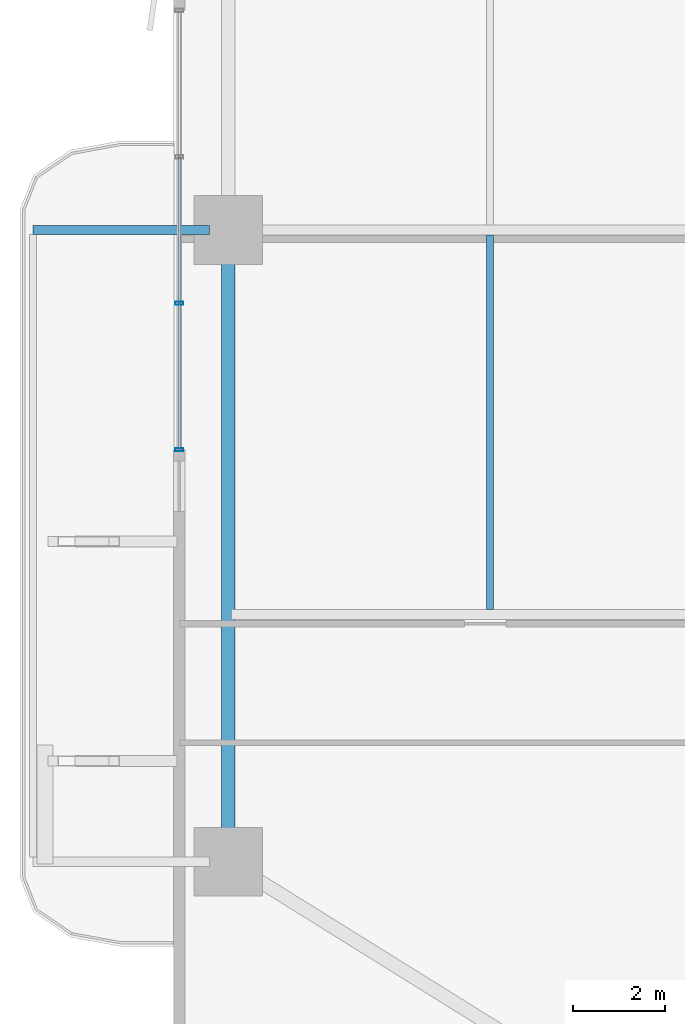
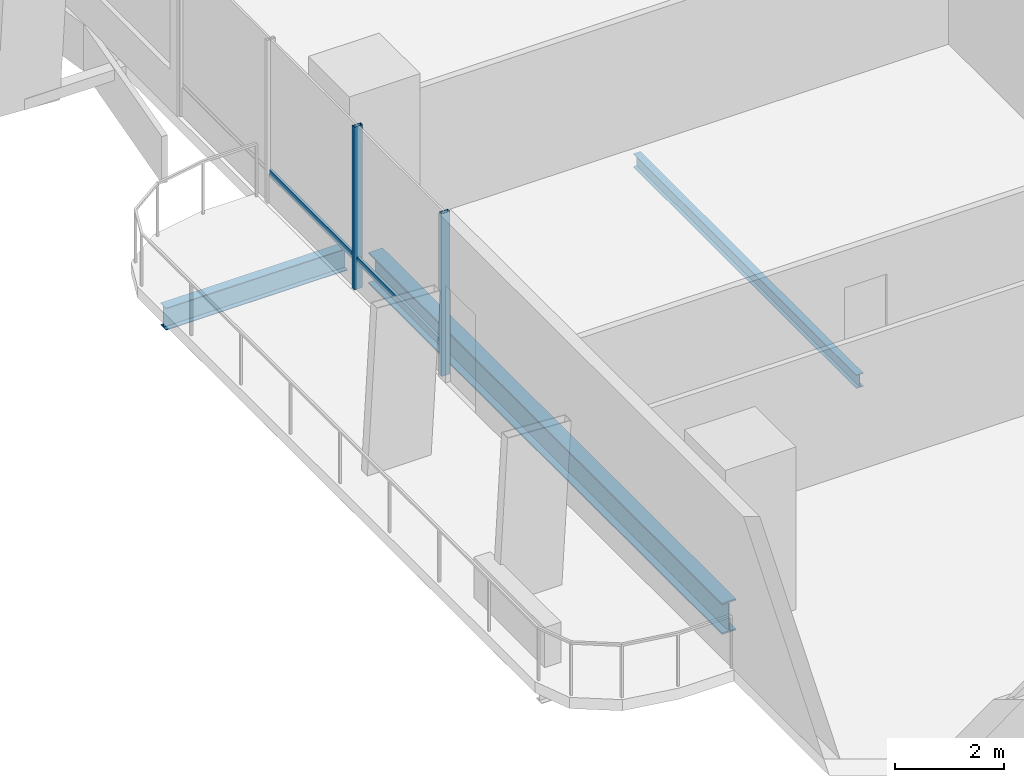
# One storey, part 4 of 23: 4 members, 3 beams, 1 element without a shape of its own.
"""IFC4 building model written with IfcOpenShell, lengths in metres."""

from ifc_helpers import new_model, si_unit, direction, frame, origin, origin_2d, place, context, subcontext, project, spatial, hollow_rectangle, i_section, extrude, material, layer, layer_set, material_profile, profile_set, type_object, element, aggregate, save


model = new_model("IFC4")

# Units and contexts
model_context = context("Model", 3, precision=1e-05, world=origin(), true_north=direction((0.0, 1.0)))
body_context = subcontext(model_context, "Body", "Model", "MODEL_VIEW")
ifc_project = project(units=[si_unit("LENGTHUNIT", "METRE"), si_unit("AREAUNIT", "SQUARE_METRE"), si_unit("VOLUMEUNIT", "CUBIC_METRE"), si_unit("PLANEANGLEUNIT", "RADIAN"), si_unit("MASSUNIT", "GRAM", prefix="KILO")], contexts=[model_context])

# Site, building, storey
site_placement = place(None, origin())
site = spatial("IfcSite", under=ifc_project, at=site_placement, CompositionType="ELEMENT")
building_placement = place(site_placement, origin())
building = spatial("IfcBuilding", under=site, at=building_placement, Name="Belovzor Exchange Tower", CompositionType="ELEMENT")
storey_placement = place(building_placement, frame((0.0, 0.0, 57.300048828125)))
storey = spatial("IfcBuildingStorey", under=building, at=storey_placement, Name="L13", CompositionType="ELEMENT", Elevation=57.300048828125)

# Beams
ifc_material_1 = material(Name="Steel S355", Category="steel")
ifc_material_profile_1 = material_profile(ifc_material_1, i_section(OverallWidth=0.199951171875, OverallDepth=0.5, WebThickness=0.01025390625, FlangeThickness=0.01611328125, at=origin_2d()))
ifc_profile_set_1 = profile_set([ifc_material_profile_1], Name="Steel S355")
beam_type_1 = type_object("IfcBeamType", Name="Planted Balcony Cantilever Beam IPE 500", PredefinedType="BEAM", material=ifc_profile_set_1)
beam_1_placement = place(storey_placement, frame((1.68798828125, 28.800048828125, -0.5), z_axis=(-1.0, 0.0, 0.0), x_axis=(0.0, -1.0, 0.0)))
element("IfcBeam", 1, at=beam_1_placement, inside=storey, type_object=beam_type_1, Name="BC-500 Planted Balcony Cantilever Beam IPE 500", PredefinedType="BEAM", context=body_context, shape_type="SweptSolid", body=[
    extrude(i_section(OverallWidth=0.199951171875, OverallDepth=0.5, WebThickness=0.01025390625, FlangeThickness=0.01611328125, at=origin_2d()), origin(), (0.0, 0.0, 1.0), 3.85009765625),
])
ifc_material_2 = material(Name="Steel S355", Category="steel")
ifc_material_profile_2 = material_profile(ifc_material_2, i_section(OverallWidth=0.14990234375, OverallDepth=0.300048828125, WebThickness=0.007080078125, FlangeThickness=0.0107421875, at=origin_2d()))
ifc_profile_set_2 = profile_set([ifc_material_profile_2], Name="Steel S355")
beam_type_2 = type_object("IfcBeamType", Name="Secondary Trim Floor Joist IPE 300", PredefinedType="BEAM", material=ifc_profile_set_2)
beam_2_placement = place(storey_placement, frame((7.81494140625, 20.5048828125, -0.400146484375), z_axis=(0.0, 1.0, 0.0), x_axis=(-1.0, 0.0, 0.0)))
element("IfcBeam", 2, at=beam_2_placement, inside=storey, type_object=beam_type_2, Name="FJ-300 Secondary Trim Floor Joist IPE 300", PredefinedType="BEAM", context=body_context, shape_type="SweptSolid", body=[
    extrude(i_section(OverallWidth=0.14990234375, OverallDepth=0.300048828125, WebThickness=0.007080078125, FlangeThickness=0.0107421875, at=origin_2d()), origin(), (0.0, 0.0, 1.0), 8.190185546875),
])

# Curtain wall, members
ifc_material_3 = material(Name="Anodised Aluminium Framing", Category="aluminium")
ifc_layer = layer(ifc_material_3, 0.179931640625)
ifc_layer_set = layer_set([ifc_layer], Name="Anodised Aluminium Framing")
curtain_wall_type = type_object("IfcCurtainWallType", Name="Recessed Loggia Low-Iron Triple-Glazed Curtain Wall", PredefinedType="NOTDEFINED", material=ifc_layer_set)
curtain_wall_placement = place(storey_placement, origin())
curtain_wall = element("IfcCurtainWall", 3, at=curtain_wall_placement, inside=storey, type_object=curtain_wall_type, Name="CW3 Recessed Loggia Low-Iron Triple-Glazed Curtain Wall L13", PredefinedType="NOTDEFINED")
ifc_material_4 = material(Name="Steel S355", Category="steel")
ifc_material_profile_3 = material_profile(ifc_material_4, hollow_rectangle(XDim=0.074951171875, YDim=0.179931640625, WallThickness=0.0048828125, at=origin_2d()))
ifc_profile_set_3 = profile_set([ifc_material_profile_3], Name="Steel S355")
member_type_1 = type_object("IfcMemberType", Name="Thermally Broken Curtain Wall Mullion 180x75", PredefinedType="MULLION", material=ifc_profile_set_3)
member_1_placement = place(storey_placement, frame((1.030029296875, 24.0, 0.0), z_axis=(0.0, 0.0, 1.0), x_axis=(0.0, 1.0, 0.0)))
member_1 = element("IfcMember", 4, at=member_1_placement, type_object=member_type_1, Name="CW-M180 Curtain Wall Mullion 1", PredefinedType="MULLION", context=body_context, shape_type="SweptSolid", body=[
    extrude(hollow_rectangle(XDim=0.074951171875, YDim=0.179931640625, WallThickness=0.0048828125, at=origin_2d()), origin(), (0.0, 0.0, 1.0), 3.64990234375),
])
member_2_placement = place(storey_placement, frame((1.030029296875, 27.199951171875, 0.0), z_axis=(0.0, 0.0, 1.0), x_axis=(0.0, 1.0, 0.0)))
member_2 = element("IfcMember", 5, at=member_2_placement, type_object=member_type_1, Name="CW-M180 Curtain Wall Mullion 2", PredefinedType="MULLION", context=body_context, shape_type="SweptSolid", body=[
    extrude(hollow_rectangle(XDim=0.074951171875, YDim=0.179931640625, WallThickness=0.0048828125, at=origin_2d()), origin(), (0.0, 0.0, 1.0), 3.64990234375),
])
ifc_material_5 = material(Name="Steel S355", Category="steel")
ifc_material_profile_4 = material_profile(ifc_material_5, hollow_rectangle(XDim=0.06005859375, YDim=0.14990234375, WallThickness=0.00390625, at=origin_2d()))
ifc_profile_set_4 = profile_set([ifc_material_profile_4], Name="Steel S355")
member_type_2 = type_object("IfcMemberType", Name="Thermally Broken Curtain Wall Transom 150x60", PredefinedType="USERDEFINED", material=ifc_profile_set_4)
member_3_placement = place(storey_placement, frame((1.030029296875, 24.008056640625, 0.64990234375), z_axis=(0.0, 1.0, 0.0), x_axis=(-1.0, 0.0, 0.0)))
member_3 = element("IfcMember", 6, at=member_3_placement, type_object=member_type_2, Name="CW-T150 Curtain Wall Transom 1", ObjectType="TRANSOM", PredefinedType="USERDEFINED", context=body_context, shape_type="SweptSolid", body=[
    extrude(hollow_rectangle(XDim=0.06005859375, YDim=0.14990234375, WallThickness=0.00390625, at=origin_2d()), origin(), (0.0, 0.0, 1.0), 3.183837890625),
])
member_4_placement = place(storey_placement, frame((1.030029296875, 27.2080078125, 0.64990234375), z_axis=(0.0, 1.0, 0.0), x_axis=(-1.0, 0.0, 0.0)))
member_4 = element("IfcMember", 7, at=member_4_placement, type_object=member_type_2, Name="CW-T150 Curtain Wall Transom 2", ObjectType="TRANSOM", PredefinedType="USERDEFINED", context=body_context, shape_type="SweptSolid", body=[
    extrude(hollow_rectangle(XDim=0.06005859375, YDim=0.14990234375, WallThickness=0.00390625, at=origin_2d()), origin(), (0.0, 0.0, 1.0), 3.18408203125),
])
aggregate(curtain_wall, [member_1, member_2, member_3, member_4])

# Beam
ifc_material_6 = material(Name="Steel S355", Category="steel")
ifc_material_profile_5 = material_profile(ifc_material_6, i_section(OverallWidth=0.300048828125, OverallDepth=0.699951171875, WebThickness=0.01708984375, FlangeThickness=0.031982421875, at=origin_2d()))
ifc_profile_set_5 = profile_set([ifc_material_profile_5], Name="Steel S355")
beam_type_3 = type_object("IfcBeamType", Name="Zone 1 Primary Perimeter Girder HEB 700", PredefinedType="BEAM", material=ifc_profile_set_5)
beam_3_placement = place(storey_placement, frame((2.10009765625, 28.386962890625, -0.60009765625), z_axis=(0.0, -1.0, 0.0), x_axis=(1.0, 0.0, 0.0)))
element("IfcBeam", 8, at=beam_3_placement, inside=storey, type_object=beam_type_3, Name="FG-Z1 Zone 1 Primary Perimeter Girder HEB 700", PredefinedType="BEAM", context=body_context, shape_type="SweptSolid", body=[
    extrude(i_section(OverallWidth=0.300048828125, OverallDepth=0.699951171875, WebThickness=0.01708984375, FlangeThickness=0.031982421875, at=origin_2d()), origin(), (0.0, 0.0, 1.0), 12.974853515625),
])

save(model, "model.ifc")
